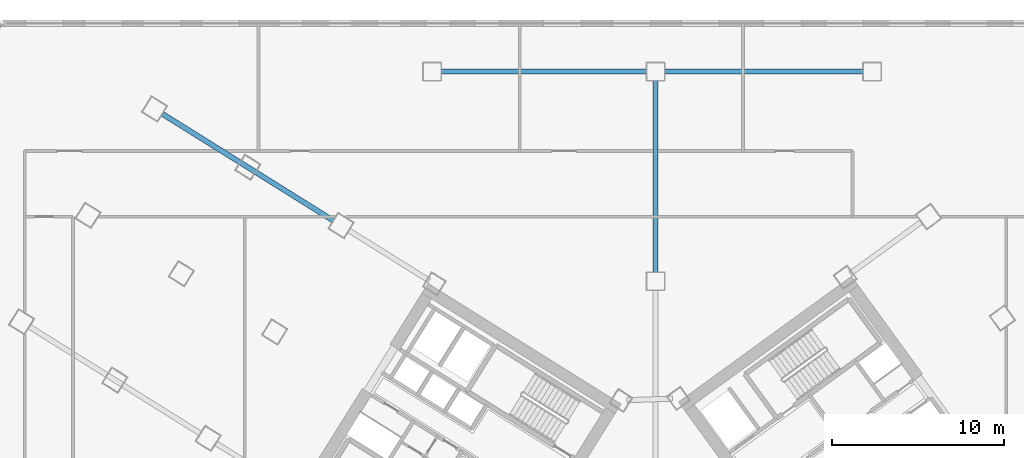
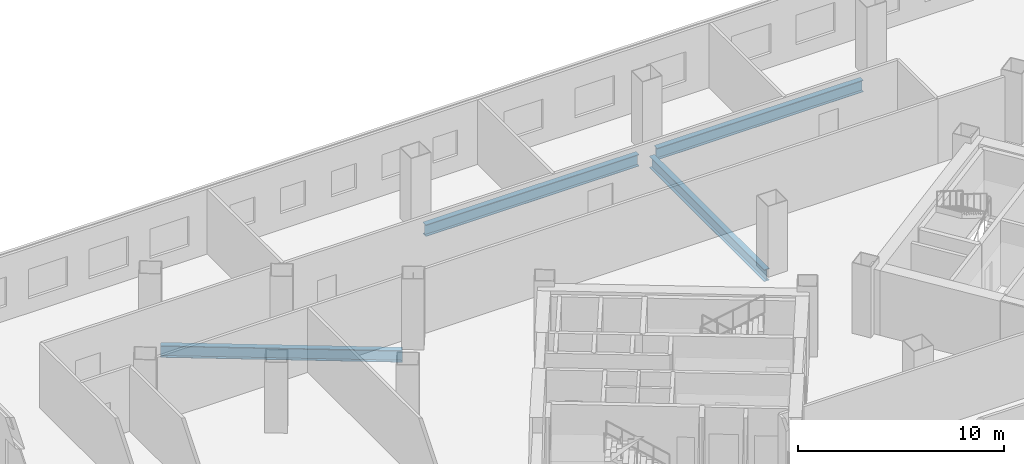
# One storey, part 5 of 22: 4 beams.
"""IFC4 building model written with IfcOpenShell, lengths in metres."""

import ifcopenshell
import ifcopenshell.guid

model = None  # the IFC model being written
_history = None  # IfcOwnerHistory: only IFC2X3 demands one
_inside = {}  # id of a spatial element -> (the spatial element, [elements in it])
_under = {}  # id of a project, library or spatial element -> (it, [spatial elements below it])
_declared = {}  # id of a project -> (the project, [libraries it declares])
_typed = {}  # id of a type object -> (the type object, [elements of that type])
_made_of = {}  # id of a material, layer set ... -> (it, [elements and type objects made of it])


def new_model(schema):
    """Start an empty IFC model of exactly this schema.

    Asked for "IFC4X3", IfcOpenShell would pick the latest addendum, in which some entities
    have other attributes; the version numbers below select the first issue.
    IFC2X3 requires an IfcOwnerHistory on every rooted entity: one is made here for all.
    """
    global model, _history
    if schema == "IFC4X3":
        model = ifcopenshell.file(schema_version=(4, 3, 0, 0))
    else:
        model = ifcopenshell.file(schema=schema)
    _inside.clear()
    _under.clear()
    _declared.clear()
    _typed.clear()
    _made_of.clear()
    _history = None
    if model.schema == "IFC2X3":
        org = make("IfcOrganization", Name="unknown")
        user = make(
            "IfcPersonAndOrganization",
            ThePerson=make("IfcPerson", FamilyName="unknown"),
            TheOrganization=org,
        )
        app = make(
            "IfcApplication",
            ApplicationDeveloper=org,
            Version="unknown",
            ApplicationFullName="unknown",
            ApplicationIdentifier="unknown",
        )
        _history = make(
            "IfcOwnerHistory",
            OwningUser=user,
            OwningApplication=app,
            ChangeAction="ADDED",
            CreationDate=0,
        )
    return model


def make(cls, **values):
    """One entity of the class cls with the attributes given. An attribute that is None is left unset."""
    return model.create_entity(
        cls, **{name: value for name, value in values.items() if value is not None}
    )


def rooted(cls, **values):
    """An entity with a GlobalId (a new one), such as an element, a storey or a relation."""
    return make(cls, GlobalId=ifcopenshell.guid.new(), OwnerHistory=_history, **values)


def si_unit(unit_type, name, prefix=None):
    """IfcSIUnit, for example si_unit("LENGTHUNIT", "METRE", prefix="MILLI")."""
    return make("IfcSIUnit", UnitType=unit_type, Prefix=prefix, Name=name)


def assignment(units):
    """IfcUnitAssignment: the units of a project."""
    return None if units is None else make("IfcUnitAssignment", Units=units)


def point(xyz):
    """IfcCartesianPoint."""
    return None if xyz is None else make("IfcCartesianPoint", Coordinates=xyz)


def direction(xyz):
    """IfcDirection."""
    return None if xyz is None else make("IfcDirection", DirectionRatios=xyz)


def frame(location, z_axis=None, x_axis=None):
    """IfcAxis2Placement3D, a coordinate frame: its origin and axes. An axis left out is left unset."""
    return make(
        "IfcAxis2Placement3D",
        Location=point(location),
        Axis=direction(z_axis),
        RefDirection=direction(x_axis),
    )


def frame_2d(location, x_axis=None):
    """IfcAxis2Placement2D, a coordinate frame in the plane: its origin and x axis."""
    return make(
        "IfcAxis2Placement2D", Location=point(location), RefDirection=direction(x_axis)
    )


def origin():
    """The frame at (0, 0, 0) with its axes left unset."""
    return frame((0.0, 0.0, 0.0))


def origin_2d():
    """The frame at (0, 0) in the plane with its x axis left unset."""
    return frame_2d((0.0, 0.0))


def place(relative_to, where):
    """IfcLocalPlacement: puts the frame where relative to a parent placement (None: the world)."""
    return make(
        "IfcLocalPlacement", PlacementRelTo=relative_to, RelativePlacement=where
    )


def context(
    kind, dimensions, precision=None, world=None, true_north=None, identifier=None
):
    """IfcGeometricRepresentationContext, for example the 3D "Model" context."""
    return make(
        "IfcGeometricRepresentationContext",
        ContextIdentifier=identifier,
        ContextType=kind,
        CoordinateSpaceDimension=dimensions,
        Precision=precision,
        WorldCoordinateSystem=world,
        TrueNorth=true_north,
    )


def subcontext(parent, identifier, kind, view, scale=None):
    """IfcGeometricRepresentationSubContext, for example "Body" below "Model"."""
    return make(
        "IfcGeometricRepresentationSubContext",
        ContextIdentifier=identifier,
        ContextType=kind,
        ParentContext=parent,
        TargetScale=scale,
        TargetView=view,
    )


def project(units=None, contexts=None):
    """IfcProject with its units and contexts."""
    return rooted(
        "IfcProject",
        Name="project",
        RepresentationContexts=contexts,
        UnitsInContext=assignment(units),
    )


def spatial(cls, under=None, at=None, **own):
    """A site, building, storey or space (cls), placed at a placement, below another one or the project."""
    s = rooted(cls, ObjectPlacement=at, **own)
    if under is not None:
        _under.setdefault(under.id(), (under, []))[1].append(s)
    return s


def profile(cls, at=None, kind="AREA", **sizes):
    """A parametric profile (cls). Its sizes go by their IFC names, for example OverallWidth=200.0."""
    return make(cls, ProfileType=kind, Position=at, **sizes)


def i_section(**sizes):
    """IfcIShapeProfileDef."""
    return profile("IfcIShapeProfileDef", **sizes)


def extrude(swept, where, along, depth):
    """IfcExtrudedAreaSolid: the profile swept, set in the frame where, extruded along a direction by depth."""
    return make(
        "IfcExtrudedAreaSolid",
        SweptArea=swept,
        Position=where,
        ExtrudedDirection=direction(along),
        Depth=depth,
    )


def shape(context_of_items, identifier, shape_type, items):
    """IfcShapeRepresentation: the items that make up one representation, for example the "Body"."""
    return make(
        "IfcShapeRepresentation",
        ContextOfItems=context_of_items,
        RepresentationIdentifier=identifier,
        RepresentationType=shape_type,
        Items=items,
    )


def source(mapping_origin, context_of_items, identifier, shape_type, items):
    """IfcRepresentationMap: a shape defined once, which mapped items show again and again."""
    return make(
        "IfcRepresentationMap",
        MappingOrigin=mapping_origin,
        MappedRepresentation=shape(context_of_items, identifier, shape_type, items),
    )


def transform(
    local_origin,
    x_axis=None,
    y_axis=None,
    z_axis=None,
    scale=None,
    scale2=None,
    scale3=None,
    uniform=True,
):
    """IfcCartesianTransformationOperator3D, or its non-uniform kind. x_axis, y_axis, z_axis: its Axis1, 2, 3."""
    if uniform:
        return make(
            "IfcCartesianTransformationOperator3D",
            Axis1=direction(x_axis),
            Axis2=direction(y_axis),
            LocalOrigin=point(local_origin),
            Scale=scale,
            Axis3=direction(z_axis),
        )
    return make(
        "IfcCartesianTransformationOperator3DnonUniform",
        Axis1=direction(x_axis),
        Axis2=direction(y_axis),
        LocalOrigin=point(local_origin),
        Scale=scale,
        Axis3=direction(z_axis),
        Scale2=scale2,
        Scale3=scale3,
    )


def mapped(mapping_source, mapping_target):
    """IfcMappedItem: shows the shape of a source again, moved by a transform."""
    return make(
        "IfcMappedItem", MappingSource=mapping_source, MappingTarget=mapping_target
    )


def material(Name=None, Category=None):
    """IfcMaterial."""
    return make("IfcMaterial", Name=Name, Category=Category)


def material_profile(
    of_material, cross_section, Name=None, Category=None, Priority=None
):
    """IfcMaterialProfile: a cross section and its material."""
    return make(
        "IfcMaterialProfile",
        Name=Name,
        Material=of_material,
        Profile=cross_section,
        Priority=Priority,
        Category=Category,
    )


def profile_set(profiles, Name=None, composite=None):
    """IfcMaterialProfileSet."""
    return make(
        "IfcMaterialProfileSet",
        Name=Name,
        MaterialProfiles=profiles,
        CompositeProfile=composite,
    )


def made_of(thing, what):
    """Note that an element or type object is made of a material, layer set ...; save() writes the relation."""
    if what is not None:
        _made_of.setdefault(what.id(), (what, []))[1].append(thing)
    return thing


def type_object(cls, material=None, **own):
    """A type object (cls), such as IfcWallType, which elements share."""
    return made_of(rooted(cls, **own), material)


def element(
    cls,
    number,
    at=None,
    inside=None,
    cuts=None,
    type_object=None,
    material=None,
    context=None,
    identifier="Body",
    shape_type=None,
    held_by="IfcProductDefinitionShape",
    body=None,
    shapes=None,
    **own,
):
    """One element of the class cls, such as IfcWall. Its Tag is "e" and its number.

    at: its placement. inside: the storey or other place that contains it. cuts: it is an
    opening in that element (IfcRelVoidsElement). A single representation is given by context,
    identifier, shape_type and body (its items); several are given by shapes. held_by: the class
    of the entity that holds the representations. save() writes the other relations.
    """
    e = rooted(cls, Tag="e%d" % number, ObjectPlacement=at, **own)
    if body is not None:
        shapes = [shape(context, identifier, shape_type, body)]
    if shapes is not None:
        e.Representation = make(held_by, Representations=shapes)
    if inside is not None:
        _inside.setdefault(inside.id(), (inside, []))[1].append(e)
    if cuts is not None:
        rooted(
            "IfcRelVoidsElement", RelatingBuildingElement=cuts, RelatedOpeningElement=e
        )
    if type_object is not None:
        _typed.setdefault(type_object.id(), (type_object, []))[1].append(e)
    return made_of(e, material)


def aggregate(whole, parts):
    """IfcRelAggregates: a whole, such as a stair, and the parts it consists of."""
    return rooted("IfcRelAggregates", RelatingObject=whole, RelatedObjects=parts)


def save(model, path):
    """Write the relations noted so far, then the file.

    IfcRelAggregates (storeys below a building ...), IfcRelContainedInSpatialStructure (elements
    in a storey), IfcRelDefinesByType, IfcRelAssociatesMaterial and IfcRelDeclares: one each for
    every whole, place, type object, material and project.
    """
    for whole, parts in _under.values():
        aggregate(whole, parts)
    for where, things in _inside.values():
        rooted(
            "IfcRelContainedInSpatialStructure",
            RelatedElements=things,
            RelatingStructure=where,
        )
    for kind, things in _typed.values():
        rooted("IfcRelDefinesByType", RelatedObjects=things, RelatingType=kind)
    for what, things in _made_of.values():
        rooted("IfcRelAssociatesMaterial", RelatedObjects=things, RelatingMaterial=what)
    for by, libraries in _declared.values():
        rooted("IfcRelDeclares", RelatingContext=by, RelatedDefinitions=libraries)
    model.write(path)


model = new_model("IFC4")

# Units and contexts
model_context = context("Model", 3, precision=1e-05, world=origin(), true_north=direction((0.0, 1.0)))
body_context = subcontext(model_context, "Body", "Model", "MODEL_VIEW")
ifc_project = project(units=[si_unit("LENGTHUNIT", "METRE"), si_unit("AREAUNIT", "SQUARE_METRE"), si_unit("VOLUMEUNIT", "CUBIC_METRE"), si_unit("PLANEANGLEUNIT", "RADIAN"), si_unit("MASSUNIT", "GRAM", prefix="KILO")], contexts=[model_context])

# Site, building, storey
site_placement = place(None, origin())
site = spatial("IfcSite", under=ifc_project, at=site_placement, CompositionType="ELEMENT")
building_placement = place(site_placement, origin())
building = spatial("IfcBuilding", under=site, at=building_placement, Name="Tlacorven Tower", CompositionType="ELEMENT")
storey_placement = place(building_placement, frame((0.0, 0.0, 10.199951171875)))
storey = spatial("IfcBuildingStorey", under=building, at=storey_placement, Name="L02", CompositionType="ELEMENT", Elevation=10.199951171875)

# Beams
ifc_material = material(Name="Steel S355J2", Category="steel")
ifc_material_profile = material_profile(ifc_material, i_section(OverallWidth=0.300048828125, OverallDepth=0.699951171875, WebThickness=0.01708984375, FlangeThickness=0.031982421875, at=origin_2d()), Name="HEB 700")
ifc_profile_set = profile_set([ifc_material_profile], Name="Steel S355J2")
beam_type = type_object("IfcBeamType", Name="BM-POD-700", PredefinedType="BEAM", material=ifc_profile_set)
shared_shape_1 = source(origin(), body_context, "Body", "SweptSolid", [
    extrude(i_section(OverallWidth=0.300048828125, OverallDepth=0.699951171875, WebThickness=0.01708984375, FlangeThickness=0.031982421875, at=origin_2d()), origin(), (0.0, 0.0, 1.0), 11.97998046875),
])
beam_1_placement = place(storey_placement, frame((30.31005859375, 43.60009765625, -0.699951171875), z_axis=(1.0, 0.0, 0.0), x_axis=(0.0, 1.0, 0.0)))
element("IfcBeam", 1, at=beam_1_placement, inside=storey, type_object=beam_type, Name="L02 beam BM-L02-GX4-1", PredefinedType="BEAM", context=body_context, shape_type="MappedRepresentation", body=[
    mapped(shared_shape_1, transform((0.0, 0.0, 0.0), scale=1.0)),
])
shared_shape_2 = source(origin(), body_context, "Body", "SweptSolid", [
    extrude(i_section(OverallWidth=0.300048828125, OverallDepth=0.699951171875, WebThickness=0.01708984375, FlangeThickness=0.031982421875, at=origin_2d()), origin(), (0.0, 0.0, 1.0), 11.579833984375),
])
beam_2_placement = place(storey_placement, frame((43.31005859375, 43.60009765625, -0.699951171875), z_axis=(1.0, 0.0, 0.0), x_axis=(0.0, 1.0, 0.0)))
element("IfcBeam", 2, at=beam_2_placement, inside=storey, type_object=beam_type, Name="L02 beam BM-L02-GX4-2", PredefinedType="BEAM", context=body_context, shape_type="MappedRepresentation", body=[
    mapped(shared_shape_2, transform((0.0, 0.0, 0.0), scale=1.0)),
])
shared_shape_3 = source(origin(), body_context, "Body", "SweptSolid", [
    extrude(i_section(OverallWidth=0.300048828125, OverallDepth=0.699951171875, WebThickness=0.01708984375, FlangeThickness=0.031982421875, at=origin_2d()), origin(), (0.0, 0.0, 1.0), 11.18017578125),
])
beam_3_placement = place(storey_placement, frame((42.800048828125, 31.909912109375, -0.699951171875), z_axis=(0.0, 1.0, 0.0), x_axis=(-1.0, 0.0, 0.0)))
element("IfcBeam", 3, at=beam_3_placement, inside=storey, type_object=beam_type, Name="L02 beam BM-L02-GY4-3", PredefinedType="BEAM", context=body_context, shape_type="MappedRepresentation", body=[
    mapped(shared_shape_3, transform((0.0, 0.0, 0.0), scale=1.0)),
])
shared_shape_4 = source(origin(), body_context, "Body", "SweptSolid", [
    extrude(i_section(OverallWidth=0.300048828125, OverallDepth=0.699951171875, WebThickness=0.01708984375, FlangeThickness=0.031982421875, at=origin_2d()), origin(), (0.0, 0.0, 1.0), 11.780029296875),
])
beam_4_placement = place(storey_placement, frame((24.06787109375, 34.9130859375, -0.699951171875), z_axis=(-0.848048366356, 0.529918831823, 0.0), x_axis=(-0.529918831823, -0.848048366356, 0.0)))
element("IfcBeam", 4, at=beam_4_placement, inside=storey, type_object=beam_type, Name="L02 beam BM-L02-WTG3-1", PredefinedType="BEAM", context=body_context, shape_type="MappedRepresentation", body=[
    mapped(shared_shape_4, transform((0.0, 0.0, 0.0), scale=1.0)),
])

save(model, "model.ifc")
